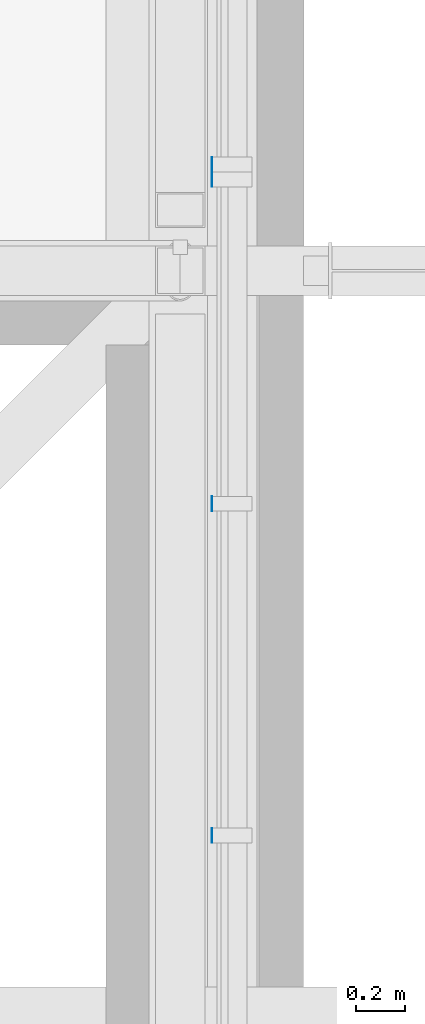
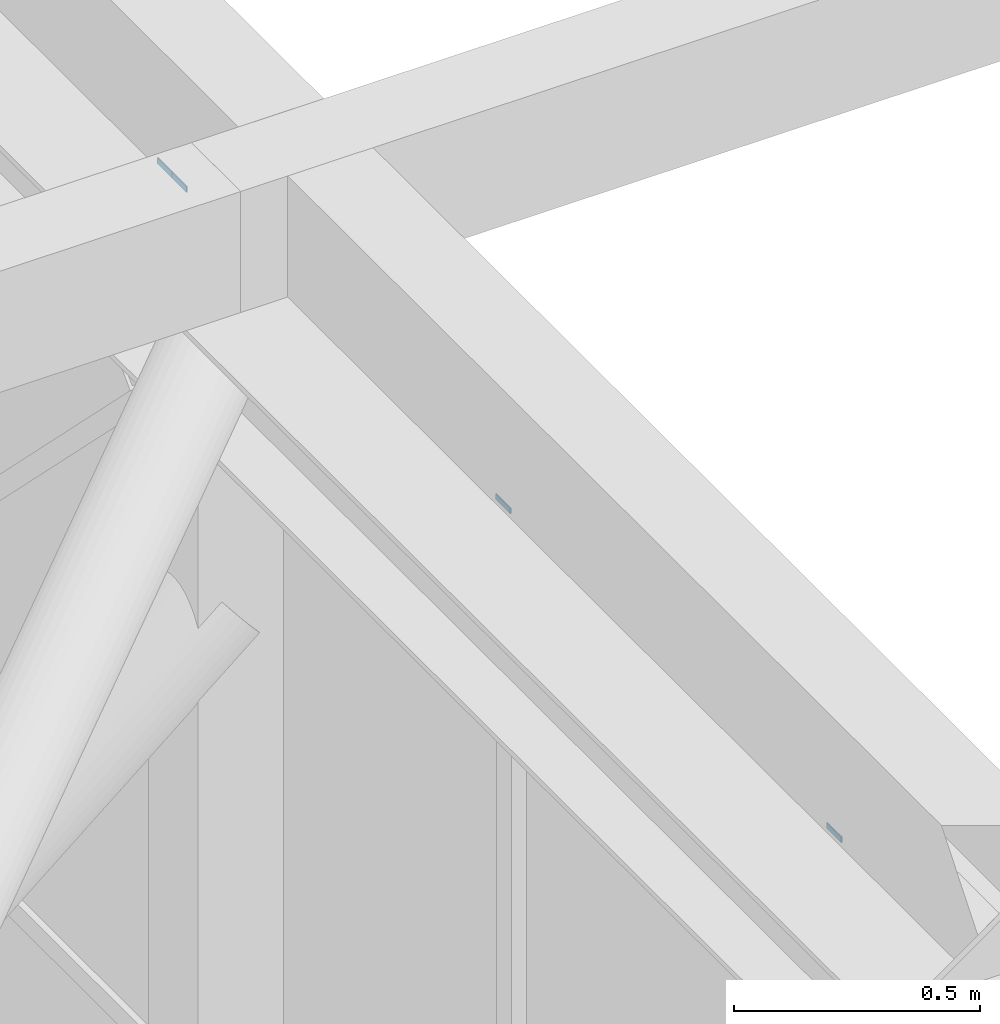
# One storey, part 431 of 646: 4 discrete accessories.
"""IFC4 building model written with IfcOpenShell, lengths in metres."""

from ifc_helpers import new_model, si_unit, direction, frame, origin, origin_2d, place, context, subcontext, project, spatial, rectangle, extrude, material, type_object, element, save


model = new_model("IFC4")

# Units and contexts
model_context = context("Model", 3, precision=1e-05, world=origin(), true_north=direction((0.0, 1.0)))
body_context = subcontext(model_context, "Body", "Model", "MODEL_VIEW")
ifc_project = project(units=[si_unit("LENGTHUNIT", "METRE"), si_unit("AREAUNIT", "SQUARE_METRE"), si_unit("VOLUMEUNIT", "CUBIC_METRE"), si_unit("PLANEANGLEUNIT", "RADIAN"), si_unit("MASSUNIT", "GRAM", prefix="KILO")], contexts=[model_context])

# Site, building, storey
site_placement = place(None, origin())
site = spatial("IfcSite", under=ifc_project, at=site_placement, CompositionType="ELEMENT")
building_placement = place(site_placement, origin())
building = spatial("IfcBuilding", under=site, at=building_placement, Name="Silverbay Arena", CompositionType="ELEMENT")
storey_placement = place(building_placement, frame((0.0, 0.0, 33.5)))
storey = spatial("IfcBuildingStorey", under=building, at=storey_placement, Name="L05", CompositionType="ELEMENT", Elevation=33.5)

# Discrete accessories
ifc_material = material(Name="Steel S355", Category="steel")
discrete_accessory_type = type_object("IfcDiscreteAccessoryType", Name="Steel bracket plate", PredefinedType="BRACKET", material=ifc_material)
for number, where, z_axis, x_axis, name in (
    (1, (207.128662109375, 24.71435546875, 12.98583984375), (0.0, 0.0, 1.0), (1.0, 0.0, 0.0), "Curtain wall packing plate"),
    (2, (207.128662109375, 26.05712890625, 12.98583984375), (0.0, 0.0, 1.0), (1.0, 0.0, 0.0), "Curtain wall packing plate"),
    (3, (207.128662109375, 27.3701171875, 12.98583984375), (0.0, 0.0, 1.0), (1.0, 0.0, 0.0), "Curtain wall packing plate"),
    (4, (207.128662109375, 27.429931640625, 12.98583984375), (0.0, 0.0, 1.0), (1.0, 0.0, 0.0), "Curtain wall packing plate"),
):
    element("IfcDiscreteAccessory", number, at=place(storey_placement, frame(where, z_axis=z_axis, x_axis=x_axis)), inside=storey, type_object=discrete_accessory_type, Name=name, PredefinedType="BRACKET", context=body_context, shape_type="SweptSolid", body=[
        extrude(rectangle(XDim=0.002685546875, YDim=0.06005859375, at=origin_2d()), origin(), (0.0, 0.0, 1.0), 0.01416015625),
    ])

save(model, "model.ifc")
